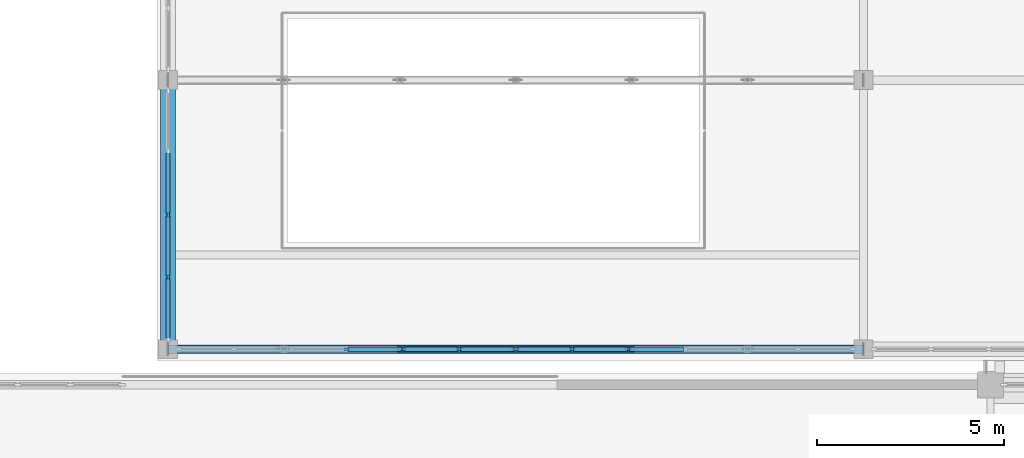
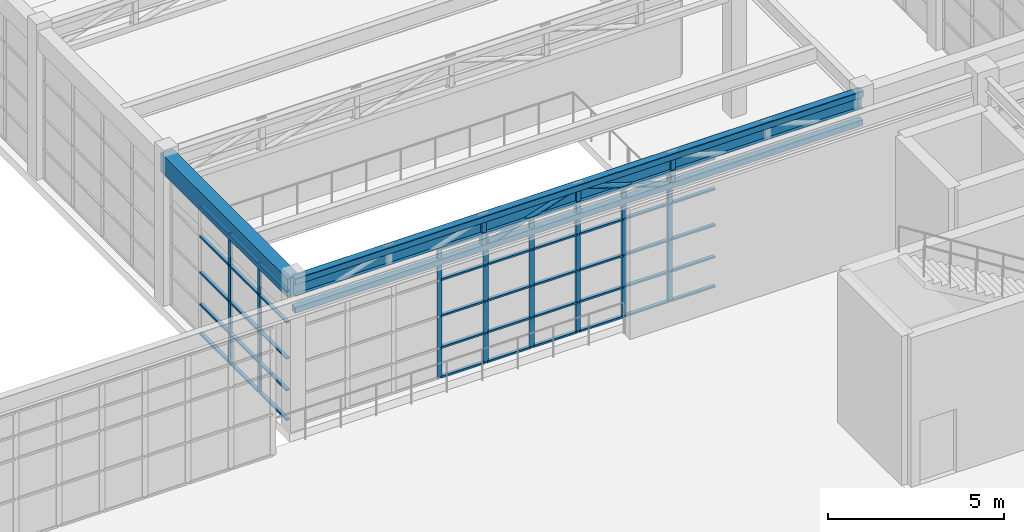
# One storey, part 46 of 103: 60 members, 2 beams, 2 elements without a shape of their own.
"""IFC4 building model written with IfcOpenShell, lengths in metres."""

import ifcopenshell
import ifcopenshell.guid

model = None  # the IFC model being written
_history = None  # IfcOwnerHistory: only IFC2X3 demands one
_inside = {}  # id of a spatial element -> (the spatial element, [elements in it])
_under = {}  # id of a project, library or spatial element -> (it, [spatial elements below it])
_declared = {}  # id of a project -> (the project, [libraries it declares])
_typed = {}  # id of a type object -> (the type object, [elements of that type])
_made_of = {}  # id of a material, layer set ... -> (it, [elements and type objects made of it])


def new_model(schema):
    """Start an empty IFC model of exactly this schema.

    Asked for "IFC4X3", IfcOpenShell would pick the latest addendum, in which some entities
    have other attributes; the version numbers below select the first issue.
    IFC2X3 requires an IfcOwnerHistory on every rooted entity: one is made here for all.
    """
    global model, _history
    if schema == "IFC4X3":
        model = ifcopenshell.file(schema_version=(4, 3, 0, 0))
    else:
        model = ifcopenshell.file(schema=schema)
    _inside.clear()
    _under.clear()
    _declared.clear()
    _typed.clear()
    _made_of.clear()
    _history = None
    if model.schema == "IFC2X3":
        org = make("IfcOrganization", Name="unknown")
        user = make(
            "IfcPersonAndOrganization",
            ThePerson=make("IfcPerson", FamilyName="unknown"),
            TheOrganization=org,
        )
        app = make(
            "IfcApplication",
            ApplicationDeveloper=org,
            Version="unknown",
            ApplicationFullName="unknown",
            ApplicationIdentifier="unknown",
        )
        _history = make(
            "IfcOwnerHistory",
            OwningUser=user,
            OwningApplication=app,
            ChangeAction="ADDED",
            CreationDate=0,
        )
    return model


def make(cls, **values):
    """One entity of the class cls with the attributes given. An attribute that is None is left unset."""
    return model.create_entity(
        cls, **{name: value for name, value in values.items() if value is not None}
    )


def rooted(cls, **values):
    """An entity with a GlobalId (a new one), such as an element, a storey or a relation."""
    return make(cls, GlobalId=ifcopenshell.guid.new(), OwnerHistory=_history, **values)


def si_unit(unit_type, name, prefix=None):
    """IfcSIUnit, for example si_unit("LENGTHUNIT", "METRE", prefix="MILLI")."""
    return make("IfcSIUnit", UnitType=unit_type, Prefix=prefix, Name=name)


def assignment(units):
    """IfcUnitAssignment: the units of a project."""
    return None if units is None else make("IfcUnitAssignment", Units=units)


def point(xyz):
    """IfcCartesianPoint."""
    return None if xyz is None else make("IfcCartesianPoint", Coordinates=xyz)


def direction(xyz):
    """IfcDirection."""
    return None if xyz is None else make("IfcDirection", DirectionRatios=xyz)


def frame(location, z_axis=None, x_axis=None):
    """IfcAxis2Placement3D, a coordinate frame: its origin and axes. An axis left out is left unset."""
    return make(
        "IfcAxis2Placement3D",
        Location=point(location),
        Axis=direction(z_axis),
        RefDirection=direction(x_axis),
    )


def frame_2d(location, x_axis=None):
    """IfcAxis2Placement2D, a coordinate frame in the plane: its origin and x axis."""
    return make(
        "IfcAxis2Placement2D", Location=point(location), RefDirection=direction(x_axis)
    )


def origin():
    """The frame at (0, 0, 0) with its axes left unset."""
    return frame((0.0, 0.0, 0.0))


def origin_2d():
    """The frame at (0, 0) in the plane with its x axis left unset."""
    return frame_2d((0.0, 0.0))


def place(relative_to, where):
    """IfcLocalPlacement: puts the frame where relative to a parent placement (None: the world)."""
    return make(
        "IfcLocalPlacement", PlacementRelTo=relative_to, RelativePlacement=where
    )


def context(
    kind, dimensions, precision=None, world=None, true_north=None, identifier=None
):
    """IfcGeometricRepresentationContext, for example the 3D "Model" context."""
    return make(
        "IfcGeometricRepresentationContext",
        ContextIdentifier=identifier,
        ContextType=kind,
        CoordinateSpaceDimension=dimensions,
        Precision=precision,
        WorldCoordinateSystem=world,
        TrueNorth=true_north,
    )


def subcontext(parent, identifier, kind, view, scale=None):
    """IfcGeometricRepresentationSubContext, for example "Body" below "Model"."""
    return make(
        "IfcGeometricRepresentationSubContext",
        ContextIdentifier=identifier,
        ContextType=kind,
        ParentContext=parent,
        TargetScale=scale,
        TargetView=view,
    )


def project(units=None, contexts=None):
    """IfcProject with its units and contexts."""
    return rooted(
        "IfcProject",
        Name="project",
        RepresentationContexts=contexts,
        UnitsInContext=assignment(units),
    )


def spatial(cls, under=None, at=None, **own):
    """A site, building, storey or space (cls), placed at a placement, below another one or the project."""
    s = rooted(cls, ObjectPlacement=at, **own)
    if under is not None:
        _under.setdefault(under.id(), (under, []))[1].append(s)
    return s


def profile(cls, at=None, kind="AREA", **sizes):
    """A parametric profile (cls). Its sizes go by their IFC names, for example OverallWidth=200.0."""
    return make(cls, ProfileType=kind, Position=at, **sizes)


def rectangle(**sizes):
    """IfcRectangleProfileDef."""
    return profile("IfcRectangleProfileDef", **sizes)


def hollow_rectangle(**sizes):
    """IfcRectangleHollowProfileDef."""
    return profile("IfcRectangleHollowProfileDef", **sizes)


def hollow_circle(**sizes):
    """IfcCircleHollowProfileDef."""
    return profile("IfcCircleHollowProfileDef", **sizes)


def i_section(**sizes):
    """IfcIShapeProfileDef."""
    return profile("IfcIShapeProfileDef", **sizes)


def extrude(swept, where, along, depth):
    """IfcExtrudedAreaSolid: the profile swept, set in the frame where, extruded along a direction by depth."""
    return make(
        "IfcExtrudedAreaSolid",
        SweptArea=swept,
        Position=where,
        ExtrudedDirection=direction(along),
        Depth=depth,
    )


def shape(context_of_items, identifier, shape_type, items):
    """IfcShapeRepresentation: the items that make up one representation, for example the "Body"."""
    return make(
        "IfcShapeRepresentation",
        ContextOfItems=context_of_items,
        RepresentationIdentifier=identifier,
        RepresentationType=shape_type,
        Items=items,
    )


def material(Name=None, Category=None):
    """IfcMaterial."""
    return make("IfcMaterial", Name=Name, Category=Category)


def layer(
    of_material, thickness, ventilated=None, Name=None, Category=None, Priority=None
):
    """IfcMaterialLayer: one layer of a wall or slab, of a material (None: an air gap)."""
    return make(
        "IfcMaterialLayer",
        Material=of_material,
        LayerThickness=thickness,
        IsVentilated=ventilated,
        Name=Name,
        Category=Category,
        Priority=Priority,
    )


def layer_set(layers, Name=None):
    """IfcMaterialLayerSet."""
    return make("IfcMaterialLayerSet", MaterialLayers=layers, LayerSetName=Name)


def material_profile(
    of_material, cross_section, Name=None, Category=None, Priority=None
):
    """IfcMaterialProfile: a cross section and its material."""
    return make(
        "IfcMaterialProfile",
        Name=Name,
        Material=of_material,
        Profile=cross_section,
        Priority=Priority,
        Category=Category,
    )


def profile_set(profiles, Name=None, composite=None):
    """IfcMaterialProfileSet."""
    return make(
        "IfcMaterialProfileSet",
        Name=Name,
        MaterialProfiles=profiles,
        CompositeProfile=composite,
    )


def made_of(thing, what):
    """Note that an element or type object is made of a material, layer set ...; save() writes the relation."""
    if what is not None:
        _made_of.setdefault(what.id(), (what, []))[1].append(thing)
    return thing


def type_object(cls, material=None, **own):
    """A type object (cls), such as IfcWallType, which elements share."""
    return made_of(rooted(cls, **own), material)


def element(
    cls,
    number,
    at=None,
    inside=None,
    cuts=None,
    type_object=None,
    material=None,
    context=None,
    identifier="Body",
    shape_type=None,
    held_by="IfcProductDefinitionShape",
    body=None,
    shapes=None,
    **own,
):
    """One element of the class cls, such as IfcWall. Its Tag is "e" and its number.

    at: its placement. inside: the storey or other place that contains it. cuts: it is an
    opening in that element (IfcRelVoidsElement). A single representation is given by context,
    identifier, shape_type and body (its items); several are given by shapes. held_by: the class
    of the entity that holds the representations. save() writes the other relations.
    """
    e = rooted(cls, Tag="e%d" % number, ObjectPlacement=at, **own)
    if body is not None:
        shapes = [shape(context, identifier, shape_type, body)]
    if shapes is not None:
        e.Representation = make(held_by, Representations=shapes)
    if inside is not None:
        _inside.setdefault(inside.id(), (inside, []))[1].append(e)
    if cuts is not None:
        rooted(
            "IfcRelVoidsElement", RelatingBuildingElement=cuts, RelatedOpeningElement=e
        )
    if type_object is not None:
        _typed.setdefault(type_object.id(), (type_object, []))[1].append(e)
    return made_of(e, material)


def aggregate(whole, parts):
    """IfcRelAggregates: a whole, such as a stair, and the parts it consists of."""
    return rooted("IfcRelAggregates", RelatingObject=whole, RelatedObjects=parts)


def save(model, path):
    """Write the relations noted so far, then the file.

    IfcRelAggregates (storeys below a building ...), IfcRelContainedInSpatialStructure (elements
    in a storey), IfcRelDefinesByType, IfcRelAssociatesMaterial and IfcRelDeclares: one each for
    every whole, place, type object, material and project.
    """
    for whole, parts in _under.values():
        aggregate(whole, parts)
    for where, things in _inside.values():
        rooted(
            "IfcRelContainedInSpatialStructure",
            RelatedElements=things,
            RelatingStructure=where,
        )
    for kind, things in _typed.values():
        rooted("IfcRelDefinesByType", RelatedObjects=things, RelatingType=kind)
    for what, things in _made_of.values():
        rooted("IfcRelAssociatesMaterial", RelatedObjects=things, RelatingMaterial=what)
    for by, libraries in _declared.values():
        rooted("IfcRelDeclares", RelatingContext=by, RelatedDefinitions=libraries)
    model.write(path)


model = new_model("IFC4")

# Units and contexts
model_context = context("Model", 3, precision=1e-05, world=origin(), true_north=direction((0.0, 1.0)))
body_context = subcontext(model_context, "Body", "Model", "MODEL_VIEW")
ifc_project = project(units=[si_unit("LENGTHUNIT", "METRE"), si_unit("AREAUNIT", "SQUARE_METRE"), si_unit("VOLUMEUNIT", "CUBIC_METRE"), si_unit("PLANEANGLEUNIT", "RADIAN"), si_unit("MASSUNIT", "GRAM", prefix="KILO")], contexts=[model_context])

# Site, building, storey
site_placement = place(None, origin())
site = spatial("IfcSite", under=ifc_project, at=site_placement, CompositionType="ELEMENT")
building_placement = place(site_placement, origin())
building = spatial("IfcBuilding", under=site, at=building_placement, Name="Candilejo Ridge Gondola Terminal", CompositionType="ELEMENT")
storey_placement = place(building_placement, frame((0.0, 0.0, 9.0)))
storey = spatial("IfcBuildingStorey", under=building, at=storey_placement, Name="L02", CompositionType="ELEMENT", Elevation=9.0)

# Curtain wall, members
ifc_material_1 = material(Name="Anodised aluminium AA 6063-T6", Category="aluminium")
ifc_layer_1 = layer(ifc_material_1, 0.169921875)
ifc_layer_set_1 = layer_set([ifc_layer_1], Name="ARC-CW-TOWER-3000-670X449")
curtain_wall_type_1 = type_object("IfcCurtainWallType", Name="ARC-CW-TOWER-3000-670X449", PredefinedType="NOTDEFINED", material=ifc_layer_set_1)
curtain_wall_1_placement = place(storey_placement, origin())
curtain_wall_1 = element("IfcCurtainWall", 1, at=curtain_wall_1_placement, inside=storey, type_object=curtain_wall_type_1, Name="Curtain wall V5 L02-174", PredefinedType="NOTDEFINED")
ifc_material_2 = material(Name="Anodised aluminium AA 6063-T6", Category="aluminium")
ifc_material_profile_1 = material_profile(ifc_material_2, rectangle(XDim=0.06494140625, YDim=0.14990234375, at=origin_2d()))
ifc_profile_set_1 = profile_set([ifc_material_profile_1], Name="Anodised aluminium AA 6063-T6")
member_type_1 = type_object("IfcMemberType", Name="ARC-CW-MULLION-150", PredefinedType="MULLION", material=ifc_profile_set_1)
member_1_placement = place(storey_placement, frame((150.0, 50.574951171875, 0.0), z_axis=(0.0, 0.0, 1.0), x_axis=(-1.0, 0.0, 0.0)))
member_1 = element("IfcMember", 2, at=member_1_placement, type_object=member_type_1, Name="CW-67X44 mullion 2", PredefinedType="MULLION", context=body_context, shape_type="SweptSolid", body=[
    extrude(rectangle(XDim=0.06494140625, YDim=0.14990234375, at=origin_2d()), origin(), (0.0, 0.0, 1.0), 4.489990234375),
])
member_2_placement = place(storey_placement, frame((150.0, 52.25, 0.0), z_axis=(0.0, 0.0, 1.0), x_axis=(-1.0, 0.0, 0.0)))
member_2 = element("IfcMember", 3, at=member_2_placement, type_object=member_type_1, Name="CW-67X44 mullion 3", PredefinedType="MULLION", context=body_context, shape_type="SweptSolid", body=[
    extrude(rectangle(XDim=0.06494140625, YDim=0.14990234375, at=origin_2d()), origin(), (0.0, 0.0, 1.0), 4.489990234375),
])

ifc_material_3 = material(Name="Anodised aluminium AA 6063-T6", Category="aluminium")
ifc_layer_2 = layer(ifc_material_3, 0.169921875)
ifc_layer_set_2 = layer_set([ifc_layer_2], Name="ARC-CW-TOWER-3000-1810X449")
curtain_wall_type_2 = type_object("IfcCurtainWallType", Name="ARC-CW-TOWER-3000-1810X449", PredefinedType="NOTDEFINED", material=ifc_layer_set_2)
curtain_wall_2_placement = place(storey_placement, origin())
curtain_wall_2 = element("IfcCurtainWall", 4, at=curtain_wall_2_placement, inside=storey, type_object=curtain_wall_type_2, Name="Curtain wall V5 L02-192", PredefinedType="NOTDEFINED")
member_3_placement = place(storey_placement, frame((154.77490234375, 48.64990234375, 0.0), z_axis=(0.0, 0.0, 1.0), x_axis=(0.0, 1.0, 0.0)))
member_3 = element("IfcMember", 5, at=member_3_placement, type_object=member_type_1, Name="CW-181X44 mullion 4", PredefinedType="MULLION", context=body_context, shape_type="SweptSolid", body=[
    extrude(rectangle(XDim=0.06494140625, YDim=0.14990234375, at=origin_2d()), origin(), (0.0, 0.0, 1.0), 4.489990234375),
])
member_4_placement = place(storey_placement, frame((156.283447265625, 48.64990234375, 0.0), z_axis=(0.0, 0.0, 1.0), x_axis=(0.0, 1.0, 0.0)))
member_4 = element("IfcMember", 6, at=member_4_placement, type_object=member_type_1, Name="CW-181X44 mullion 5", PredefinedType="MULLION", context=body_context, shape_type="SweptSolid", body=[
    extrude(rectangle(XDim=0.06494140625, YDim=0.14990234375, at=origin_2d()), origin(), (0.0, 0.0, 1.0), 4.489990234375),
])
member_5_placement = place(storey_placement, frame((157.791748046875, 48.64990234375, 0.0), z_axis=(0.0, 0.0, 1.0), x_axis=(0.0, 1.0, 0.0)))
member_5 = element("IfcMember", 7, at=member_5_placement, type_object=member_type_1, Name="CW-181X44 mullion 6", PredefinedType="MULLION", context=body_context, shape_type="SweptSolid", body=[
    extrude(rectangle(XDim=0.06494140625, YDim=0.14990234375, at=origin_2d()), origin(), (0.0, 0.0, 1.0), 4.489990234375),
])
member_6_placement = place(storey_placement, frame((159.300048828125, 48.64990234375, 0.0), z_axis=(0.0, 0.0, 1.0), x_axis=(0.0, 1.0, 0.0)))
member_6 = element("IfcMember", 8, at=member_6_placement, type_object=member_type_1, Name="CW-181X44 mullion 7", PredefinedType="MULLION", context=body_context, shape_type="SweptSolid", body=[
    extrude(rectangle(XDim=0.06494140625, YDim=0.14990234375, at=origin_2d()), origin(), (0.0, 0.0, 1.0), 4.489990234375),
])
member_7_placement = place(storey_placement, frame((160.808349609375, 48.64990234375, 0.0), z_axis=(0.0, 0.0, 1.0), x_axis=(0.0, 1.0, 0.0)))
member_7 = element("IfcMember", 9, at=member_7_placement, type_object=member_type_1, Name="CW-181X44 mullion 8", PredefinedType="MULLION", context=body_context, shape_type="SweptSolid", body=[
    extrude(rectangle(XDim=0.06494140625, YDim=0.14990234375, at=origin_2d()), origin(), (0.0, 0.0, 1.0), 4.489990234375),
])
member_8_placement = place(storey_placement, frame((162.316650390625, 48.64990234375, 0.0), z_axis=(0.0, 0.0, 1.0), x_axis=(0.0, 1.0, 0.0)))
member_8 = element("IfcMember", 10, at=member_8_placement, type_object=member_type_1, Name="CW-181X44 mullion 9", PredefinedType="MULLION", context=body_context, shape_type="SweptSolid", body=[
    extrude(rectangle(XDim=0.06494140625, YDim=0.14990234375, at=origin_2d()), origin(), (0.0, 0.0, 1.0), 4.489990234375),
])

# Member
ifc_material_4 = material(Name="Anodised aluminium AA 6063-T6", Category="aluminium")
ifc_material_profile_2 = material_profile(ifc_material_4, rectangle(XDim=0.110107421875, YDim=0.06005859375, at=origin_2d()))
ifc_profile_set_2 = profile_set([ifc_material_profile_2], Name="Anodised aluminium AA 6063-T6")
member_type_2 = type_object("IfcMemberType", Name="ARC-CW-TRANSOM-110", PredefinedType="USERDEFINED", material=ifc_profile_set_2)
member_9_placement = place(storey_placement, frame((150.0, 48.965087890625, 0.030029296875), z_axis=(0.0, 1.0, 0.0), x_axis=(-1.0, 0.0, 0.0)))
member_9 = element("IfcMember", 11, at=member_9_placement, type_object=member_type_2, Name="CW-67X44 transom 1.1", ObjectType="TRANSOM", PredefinedType="USERDEFINED", context=body_context, shape_type="SweptSolid", body=[
    extrude(rectangle(XDim=0.110107421875, YDim=0.06005859375, at=origin_2d()), origin(), (0.0, 0.0, 1.0), 1.577392578125),
])

member_10_placement = place(storey_placement, frame((150.0, 48.965087890625, 1.050048828125), z_axis=(0.0, 1.0, 0.0), x_axis=(-1.0, 0.0, 0.0)))
member_10 = element("IfcMember", 12, at=member_10_placement, type_object=member_type_2, Name="CW-67X44 transom 1.2", ObjectType="TRANSOM", PredefinedType="USERDEFINED", context=body_context, shape_type="SweptSolid", body=[
    extrude(rectangle(XDim=0.110107421875, YDim=0.06005859375, at=origin_2d()), origin(), (0.0, 0.0, 1.0), 1.577392578125),
])

member_11_placement = place(storey_placement, frame((150.0, 48.965087890625, 2.14990234375), z_axis=(0.0, 1.0, 0.0), x_axis=(-1.0, 0.0, 0.0)))
member_11 = element("IfcMember", 13, at=member_11_placement, type_object=member_type_2, Name="CW-67X44 transom 1.3", ObjectType="TRANSOM", PredefinedType="USERDEFINED", context=body_context, shape_type="SweptSolid", body=[
    extrude(rectangle(XDim=0.110107421875, YDim=0.06005859375, at=origin_2d()), origin(), (0.0, 0.0, 1.0), 1.577392578125),
])

member_12_placement = place(storey_placement, frame((150.0, 48.965087890625, 3.39990234375), z_axis=(0.0, 1.0, 0.0), x_axis=(-1.0, 0.0, 0.0)))
member_12 = element("IfcMember", 14, at=member_12_placement, type_object=member_type_2, Name="CW-67X44 transom 1.4", ObjectType="TRANSOM", PredefinedType="USERDEFINED", context=body_context, shape_type="SweptSolid", body=[
    extrude(rectangle(XDim=0.110107421875, YDim=0.06005859375, at=origin_2d()), origin(), (0.0, 0.0, 1.0), 1.577392578125),
])

member_13_placement = place(storey_placement, frame((150.0, 48.965087890625, 4.4599609375), z_axis=(0.0, 1.0, 0.0), x_axis=(-1.0, 0.0, 0.0)))
member_13 = element("IfcMember", 15, at=member_13_placement, type_object=member_type_2, Name="CW-67X44 transom 1.5", ObjectType="TRANSOM", PredefinedType="USERDEFINED", context=body_context, shape_type="SweptSolid", body=[
    extrude(rectangle(XDim=0.110107421875, YDim=0.06005859375, at=origin_2d()), origin(), (0.0, 0.0, 1.0), 1.577392578125),
])

member_14_placement = place(storey_placement, frame((150.0, 50.607421875, 0.030029296875), z_axis=(0.0, 1.0, 0.0), x_axis=(-1.0, 0.0, 0.0)))
member_14 = element("IfcMember", 16, at=member_14_placement, type_object=member_type_2, Name="CW-67X44 transom 2.1", ObjectType="TRANSOM", PredefinedType="USERDEFINED", context=body_context, shape_type="SweptSolid", body=[
    extrude(rectangle(XDim=0.110107421875, YDim=0.06005859375, at=origin_2d()), origin(), (0.0, 0.0, 1.0), 1.610107421875),
])

member_15_placement = place(storey_placement, frame((150.0, 50.607421875, 1.050048828125), z_axis=(0.0, 1.0, 0.0), x_axis=(-1.0, 0.0, 0.0)))
member_15 = element("IfcMember", 17, at=member_15_placement, type_object=member_type_2, Name="CW-67X44 transom 2.2", ObjectType="TRANSOM", PredefinedType="USERDEFINED", context=body_context, shape_type="SweptSolid", body=[
    extrude(rectangle(XDim=0.110107421875, YDim=0.06005859375, at=origin_2d()), origin(), (0.0, 0.0, 1.0), 1.610107421875),
])

member_16_placement = place(storey_placement, frame((150.0, 50.607421875, 2.14990234375), z_axis=(0.0, 1.0, 0.0), x_axis=(-1.0, 0.0, 0.0)))
member_16 = element("IfcMember", 18, at=member_16_placement, type_object=member_type_2, Name="CW-67X44 transom 2.3", ObjectType="TRANSOM", PredefinedType="USERDEFINED", context=body_context, shape_type="SweptSolid", body=[
    extrude(rectangle(XDim=0.110107421875, YDim=0.06005859375, at=origin_2d()), origin(), (0.0, 0.0, 1.0), 1.610107421875),
])

member_17_placement = place(storey_placement, frame((150.0, 50.607421875, 3.39990234375), z_axis=(0.0, 1.0, 0.0), x_axis=(-1.0, 0.0, 0.0)))
member_17 = element("IfcMember", 19, at=member_17_placement, type_object=member_type_2, Name="CW-67X44 transom 2.4", ObjectType="TRANSOM", PredefinedType="USERDEFINED", context=body_context, shape_type="SweptSolid", body=[
    extrude(rectangle(XDim=0.110107421875, YDim=0.06005859375, at=origin_2d()), origin(), (0.0, 0.0, 1.0), 1.610107421875),
])

member_18_placement = place(storey_placement, frame((150.0, 50.607421875, 4.4599609375), z_axis=(0.0, 1.0, 0.0), x_axis=(-1.0, 0.0, 0.0)))
member_18 = element("IfcMember", 20, at=member_18_placement, type_object=member_type_2, Name="CW-67X44 transom 2.5", ObjectType="TRANSOM", PredefinedType="USERDEFINED", context=body_context, shape_type="SweptSolid", body=[
    extrude(rectangle(XDim=0.110107421875, YDim=0.06005859375, at=origin_2d()), origin(), (0.0, 0.0, 1.0), 1.610107421875),
])

member_19_placement = place(storey_placement, frame((150.0, 52.282470703125, 0.030029296875), z_axis=(0.0, 1.0, 0.0), x_axis=(-1.0, 0.0, 0.0)))
member_19 = element("IfcMember", 21, at=member_19_placement, type_object=member_type_2, Name="CW-67X44 transom 3.1", ObjectType="TRANSOM", PredefinedType="USERDEFINED", context=body_context, shape_type="SweptSolid", body=[
    extrude(rectangle(XDim=0.110107421875, YDim=0.06005859375, at=origin_2d()), origin(), (0.0, 0.0, 1.0), 1.610107421875),
])

member_20_placement = place(storey_placement, frame((150.0, 52.282470703125, 1.050048828125), z_axis=(0.0, 1.0, 0.0), x_axis=(-1.0, 0.0, 0.0)))
member_20 = element("IfcMember", 22, at=member_20_placement, type_object=member_type_2, Name="CW-67X44 transom 3.2", ObjectType="TRANSOM", PredefinedType="USERDEFINED", context=body_context, shape_type="SweptSolid", body=[
    extrude(rectangle(XDim=0.110107421875, YDim=0.06005859375, at=origin_2d()), origin(), (0.0, 0.0, 1.0), 1.610107421875),
])

member_21_placement = place(storey_placement, frame((150.0, 52.282470703125, 2.14990234375), z_axis=(0.0, 1.0, 0.0), x_axis=(-1.0, 0.0, 0.0)))
member_21 = element("IfcMember", 23, at=member_21_placement, type_object=member_type_2, Name="CW-67X44 transom 3.3", ObjectType="TRANSOM", PredefinedType="USERDEFINED", context=body_context, shape_type="SweptSolid", body=[
    extrude(rectangle(XDim=0.110107421875, YDim=0.06005859375, at=origin_2d()), origin(), (0.0, 0.0, 1.0), 1.610107421875),
])

member_22_placement = place(storey_placement, frame((150.0, 52.282470703125, 3.39990234375), z_axis=(0.0, 1.0, 0.0), x_axis=(-1.0, 0.0, 0.0)))
member_22 = element("IfcMember", 24, at=member_22_placement, type_object=member_type_2, Name="CW-67X44 transom 3.4", ObjectType="TRANSOM", PredefinedType="USERDEFINED", context=body_context, shape_type="SweptSolid", body=[
    extrude(rectangle(XDim=0.110107421875, YDim=0.06005859375, at=origin_2d()), origin(), (0.0, 0.0, 1.0), 1.610107421875),
])

member_23_placement = place(storey_placement, frame((150.0, 52.282470703125, 4.4599609375), z_axis=(0.0, 1.0, 0.0), x_axis=(-1.0, 0.0, 0.0)))
member_23 = element("IfcMember", 25, at=member_23_placement, type_object=member_type_2, Name="CW-67X44 transom 3.5", ObjectType="TRANSOM", PredefinedType="USERDEFINED", context=body_context, shape_type="SweptSolid", body=[
    extrude(rectangle(XDim=0.110107421875, YDim=0.06005859375, at=origin_2d()), origin(), (0.0, 0.0, 1.0), 1.610107421875),
])

aggregate(curtain_wall_1, [member_1, member_2, member_9, member_10, member_11, member_12, member_13, member_14, member_15, member_16, member_17, member_18, member_19, member_20, member_21, member_22, member_23])

member_24_placement = place(storey_placement, frame((154.8076171875, 48.64990234375, 0.030029296875), z_axis=(1.0, 0.0, 0.0), x_axis=(0.0, 1.0, 0.0)))
member_24 = element("IfcMember", 26, at=member_24_placement, type_object=member_type_2, Name="CW-181X44 transom 4.1", ObjectType="TRANSOM", PredefinedType="USERDEFINED", context=body_context, shape_type="SweptSolid", body=[
    extrude(rectangle(XDim=0.110107421875, YDim=0.06005859375, at=origin_2d()), origin(), (0.0, 0.0, 1.0), 1.443115234375),
])

member_25_placement = place(storey_placement, frame((154.8076171875, 48.64990234375, 1.050048828125), z_axis=(1.0, 0.0, 0.0), x_axis=(0.0, 1.0, 0.0)))
member_25 = element("IfcMember", 27, at=member_25_placement, type_object=member_type_2, Name="CW-181X44 transom 4.2", ObjectType="TRANSOM", PredefinedType="USERDEFINED", context=body_context, shape_type="SweptSolid", body=[
    extrude(rectangle(XDim=0.110107421875, YDim=0.06005859375, at=origin_2d()), origin(), (0.0, 0.0, 1.0), 1.443115234375),
])

member_26_placement = place(storey_placement, frame((154.8076171875, 48.64990234375, 2.14990234375), z_axis=(1.0, 0.0, 0.0), x_axis=(0.0, 1.0, 0.0)))
member_26 = element("IfcMember", 28, at=member_26_placement, type_object=member_type_2, Name="CW-181X44 transom 4.3", ObjectType="TRANSOM", PredefinedType="USERDEFINED", context=body_context, shape_type="SweptSolid", body=[
    extrude(rectangle(XDim=0.110107421875, YDim=0.06005859375, at=origin_2d()), origin(), (0.0, 0.0, 1.0), 1.443115234375),
])

member_27_placement = place(storey_placement, frame((154.8076171875, 48.64990234375, 3.39990234375), z_axis=(1.0, 0.0, 0.0), x_axis=(0.0, 1.0, 0.0)))
member_27 = element("IfcMember", 29, at=member_27_placement, type_object=member_type_2, Name="CW-181X44 transom 4.4", ObjectType="TRANSOM", PredefinedType="USERDEFINED", context=body_context, shape_type="SweptSolid", body=[
    extrude(rectangle(XDim=0.110107421875, YDim=0.06005859375, at=origin_2d()), origin(), (0.0, 0.0, 1.0), 1.443115234375),
])

member_28_placement = place(storey_placement, frame((154.8076171875, 48.64990234375, 4.4599609375), z_axis=(1.0, 0.0, 0.0), x_axis=(0.0, 1.0, 0.0)))
member_28 = element("IfcMember", 30, at=member_28_placement, type_object=member_type_2, Name="CW-181X44 transom 4.5", ObjectType="TRANSOM", PredefinedType="USERDEFINED", context=body_context, shape_type="SweptSolid", body=[
    extrude(rectangle(XDim=0.110107421875, YDim=0.06005859375, at=origin_2d()), origin(), (0.0, 0.0, 1.0), 1.443115234375),
])

member_29_placement = place(storey_placement, frame((156.31591796875, 48.64990234375, 0.030029296875), z_axis=(1.0, 0.0, 0.0), x_axis=(0.0, 1.0, 0.0)))
member_29 = element("IfcMember", 31, at=member_29_placement, type_object=member_type_2, Name="CW-181X44 transom 5.1", ObjectType="TRANSOM", PredefinedType="USERDEFINED", context=body_context, shape_type="SweptSolid", body=[
    extrude(rectangle(XDim=0.110107421875, YDim=0.06005859375, at=origin_2d()), origin(), (0.0, 0.0, 1.0), 1.443359375),
])

member_30_placement = place(storey_placement, frame((156.31591796875, 48.64990234375, 1.050048828125), z_axis=(1.0, 0.0, 0.0), x_axis=(0.0, 1.0, 0.0)))
member_30 = element("IfcMember", 32, at=member_30_placement, type_object=member_type_2, Name="CW-181X44 transom 5.2", ObjectType="TRANSOM", PredefinedType="USERDEFINED", context=body_context, shape_type="SweptSolid", body=[
    extrude(rectangle(XDim=0.110107421875, YDim=0.06005859375, at=origin_2d()), origin(), (0.0, 0.0, 1.0), 1.443359375),
])

member_31_placement = place(storey_placement, frame((156.31591796875, 48.64990234375, 2.14990234375), z_axis=(1.0, 0.0, 0.0), x_axis=(0.0, 1.0, 0.0)))
member_31 = element("IfcMember", 33, at=member_31_placement, type_object=member_type_2, Name="CW-181X44 transom 5.3", ObjectType="TRANSOM", PredefinedType="USERDEFINED", context=body_context, shape_type="SweptSolid", body=[
    extrude(rectangle(XDim=0.110107421875, YDim=0.06005859375, at=origin_2d()), origin(), (0.0, 0.0, 1.0), 1.443359375),
])

member_32_placement = place(storey_placement, frame((156.31591796875, 48.64990234375, 3.39990234375), z_axis=(1.0, 0.0, 0.0), x_axis=(0.0, 1.0, 0.0)))
member_32 = element("IfcMember", 34, at=member_32_placement, type_object=member_type_2, Name="CW-181X44 transom 5.4", ObjectType="TRANSOM", PredefinedType="USERDEFINED", context=body_context, shape_type="SweptSolid", body=[
    extrude(rectangle(XDim=0.110107421875, YDim=0.06005859375, at=origin_2d()), origin(), (0.0, 0.0, 1.0), 1.443359375),
])

member_33_placement = place(storey_placement, frame((156.31591796875, 48.64990234375, 4.4599609375), z_axis=(1.0, 0.0, 0.0), x_axis=(0.0, 1.0, 0.0)))
member_33 = element("IfcMember", 35, at=member_33_placement, type_object=member_type_2, Name="CW-181X44 transom 5.5", ObjectType="TRANSOM", PredefinedType="USERDEFINED", context=body_context, shape_type="SweptSolid", body=[
    extrude(rectangle(XDim=0.110107421875, YDim=0.06005859375, at=origin_2d()), origin(), (0.0, 0.0, 1.0), 1.443359375),
])

member_34_placement = place(storey_placement, frame((157.82421875, 48.64990234375, 0.030029296875), z_axis=(1.0, 0.0, 0.0), x_axis=(0.0, 1.0, 0.0)))
member_34 = element("IfcMember", 36, at=member_34_placement, type_object=member_type_2, Name="CW-181X44 transom 6.1", ObjectType="TRANSOM", PredefinedType="USERDEFINED", context=body_context, shape_type="SweptSolid", body=[
    extrude(rectangle(XDim=0.110107421875, YDim=0.06005859375, at=origin_2d()), origin(), (0.0, 0.0, 1.0), 1.443359375),
])

member_35_placement = place(storey_placement, frame((157.82421875, 48.64990234375, 1.050048828125), z_axis=(1.0, 0.0, 0.0), x_axis=(0.0, 1.0, 0.0)))
member_35 = element("IfcMember", 37, at=member_35_placement, type_object=member_type_2, Name="CW-181X44 transom 6.2", ObjectType="TRANSOM", PredefinedType="USERDEFINED", context=body_context, shape_type="SweptSolid", body=[
    extrude(rectangle(XDim=0.110107421875, YDim=0.06005859375, at=origin_2d()), origin(), (0.0, 0.0, 1.0), 1.443359375),
])

member_36_placement = place(storey_placement, frame((157.82421875, 48.64990234375, 2.14990234375), z_axis=(1.0, 0.0, 0.0), x_axis=(0.0, 1.0, 0.0)))
member_36 = element("IfcMember", 38, at=member_36_placement, type_object=member_type_2, Name="CW-181X44 transom 6.3", ObjectType="TRANSOM", PredefinedType="USERDEFINED", context=body_context, shape_type="SweptSolid", body=[
    extrude(rectangle(XDim=0.110107421875, YDim=0.06005859375, at=origin_2d()), origin(), (0.0, 0.0, 1.0), 1.443359375),
])

member_37_placement = place(storey_placement, frame((157.82421875, 48.64990234375, 3.39990234375), z_axis=(1.0, 0.0, 0.0), x_axis=(0.0, 1.0, 0.0)))
member_37 = element("IfcMember", 39, at=member_37_placement, type_object=member_type_2, Name="CW-181X44 transom 6.4", ObjectType="TRANSOM", PredefinedType="USERDEFINED", context=body_context, shape_type="SweptSolid", body=[
    extrude(rectangle(XDim=0.110107421875, YDim=0.06005859375, at=origin_2d()), origin(), (0.0, 0.0, 1.0), 1.443359375),
])

member_38_placement = place(storey_placement, frame((157.82421875, 48.64990234375, 4.4599609375), z_axis=(1.0, 0.0, 0.0), x_axis=(0.0, 1.0, 0.0)))
member_38 = element("IfcMember", 40, at=member_38_placement, type_object=member_type_2, Name="CW-181X44 transom 6.5", ObjectType="TRANSOM", PredefinedType="USERDEFINED", context=body_context, shape_type="SweptSolid", body=[
    extrude(rectangle(XDim=0.110107421875, YDim=0.06005859375, at=origin_2d()), origin(), (0.0, 0.0, 1.0), 1.443359375),
])

member_39_placement = place(storey_placement, frame((159.33251953125, 48.64990234375, 0.030029296875), z_axis=(1.0, 0.0, 0.0), x_axis=(0.0, 1.0, 0.0)))
member_39 = element("IfcMember", 41, at=member_39_placement, type_object=member_type_2, Name="CW-181X44 transom 7.1", ObjectType="TRANSOM", PredefinedType="USERDEFINED", context=body_context, shape_type="SweptSolid", body=[
    extrude(rectangle(XDim=0.110107421875, YDim=0.06005859375, at=origin_2d()), origin(), (0.0, 0.0, 1.0), 1.443359375),
])

member_40_placement = place(storey_placement, frame((159.33251953125, 48.64990234375, 1.050048828125), z_axis=(1.0, 0.0, 0.0), x_axis=(0.0, 1.0, 0.0)))
member_40 = element("IfcMember", 42, at=member_40_placement, type_object=member_type_2, Name="CW-181X44 transom 7.2", ObjectType="TRANSOM", PredefinedType="USERDEFINED", context=body_context, shape_type="SweptSolid", body=[
    extrude(rectangle(XDim=0.110107421875, YDim=0.06005859375, at=origin_2d()), origin(), (0.0, 0.0, 1.0), 1.443359375),
])

member_41_placement = place(storey_placement, frame((159.33251953125, 48.64990234375, 2.14990234375), z_axis=(1.0, 0.0, 0.0), x_axis=(0.0, 1.0, 0.0)))
member_41 = element("IfcMember", 43, at=member_41_placement, type_object=member_type_2, Name="CW-181X44 transom 7.3", ObjectType="TRANSOM", PredefinedType="USERDEFINED", context=body_context, shape_type="SweptSolid", body=[
    extrude(rectangle(XDim=0.110107421875, YDim=0.06005859375, at=origin_2d()), origin(), (0.0, 0.0, 1.0), 1.443359375),
])

member_42_placement = place(storey_placement, frame((159.33251953125, 48.64990234375, 3.39990234375), z_axis=(1.0, 0.0, 0.0), x_axis=(0.0, 1.0, 0.0)))
member_42 = element("IfcMember", 44, at=member_42_placement, type_object=member_type_2, Name="CW-181X44 transom 7.4", ObjectType="TRANSOM", PredefinedType="USERDEFINED", context=body_context, shape_type="SweptSolid", body=[
    extrude(rectangle(XDim=0.110107421875, YDim=0.06005859375, at=origin_2d()), origin(), (0.0, 0.0, 1.0), 1.443359375),
])

member_43_placement = place(storey_placement, frame((159.33251953125, 48.64990234375, 4.4599609375), z_axis=(1.0, 0.0, 0.0), x_axis=(0.0, 1.0, 0.0)))
member_43 = element("IfcMember", 45, at=member_43_placement, type_object=member_type_2, Name="CW-181X44 transom 7.5", ObjectType="TRANSOM", PredefinedType="USERDEFINED", context=body_context, shape_type="SweptSolid", body=[
    extrude(rectangle(XDim=0.110107421875, YDim=0.06005859375, at=origin_2d()), origin(), (0.0, 0.0, 1.0), 1.443359375),
])

member_44_placement = place(storey_placement, frame((160.8408203125, 48.64990234375, 0.030029296875), z_axis=(1.0, 0.0, 0.0), x_axis=(0.0, 1.0, 0.0)))
member_44 = element("IfcMember", 46, at=member_44_placement, type_object=member_type_2, Name="CW-181X44 transom 8.1", ObjectType="TRANSOM", PredefinedType="USERDEFINED", context=body_context, shape_type="SweptSolid", body=[
    extrude(rectangle(XDim=0.110107421875, YDim=0.06005859375, at=origin_2d()), origin(), (0.0, 0.0, 1.0), 1.443359375),
])

member_45_placement = place(storey_placement, frame((160.8408203125, 48.64990234375, 1.050048828125), z_axis=(1.0, 0.0, 0.0), x_axis=(0.0, 1.0, 0.0)))
member_45 = element("IfcMember", 47, at=member_45_placement, type_object=member_type_2, Name="CW-181X44 transom 8.2", ObjectType="TRANSOM", PredefinedType="USERDEFINED", context=body_context, shape_type="SweptSolid", body=[
    extrude(rectangle(XDim=0.110107421875, YDim=0.06005859375, at=origin_2d()), origin(), (0.0, 0.0, 1.0), 1.443359375),
])

member_46_placement = place(storey_placement, frame((160.8408203125, 48.64990234375, 2.14990234375), z_axis=(1.0, 0.0, 0.0), x_axis=(0.0, 1.0, 0.0)))
member_46 = element("IfcMember", 48, at=member_46_placement, type_object=member_type_2, Name="CW-181X44 transom 8.3", ObjectType="TRANSOM", PredefinedType="USERDEFINED", context=body_context, shape_type="SweptSolid", body=[
    extrude(rectangle(XDim=0.110107421875, YDim=0.06005859375, at=origin_2d()), origin(), (0.0, 0.0, 1.0), 1.443359375),
])

member_47_placement = place(storey_placement, frame((160.8408203125, 48.64990234375, 3.39990234375), z_axis=(1.0, 0.0, 0.0), x_axis=(0.0, 1.0, 0.0)))
member_47 = element("IfcMember", 49, at=member_47_placement, type_object=member_type_2, Name="CW-181X44 transom 8.4", ObjectType="TRANSOM", PredefinedType="USERDEFINED", context=body_context, shape_type="SweptSolid", body=[
    extrude(rectangle(XDim=0.110107421875, YDim=0.06005859375, at=origin_2d()), origin(), (0.0, 0.0, 1.0), 1.443359375),
])

member_48_placement = place(storey_placement, frame((160.8408203125, 48.64990234375, 4.4599609375), z_axis=(1.0, 0.0, 0.0), x_axis=(0.0, 1.0, 0.0)))
member_48 = element("IfcMember", 50, at=member_48_placement, type_object=member_type_2, Name="CW-181X44 transom 8.5", ObjectType="TRANSOM", PredefinedType="USERDEFINED", context=body_context, shape_type="SweptSolid", body=[
    extrude(rectangle(XDim=0.110107421875, YDim=0.06005859375, at=origin_2d()), origin(), (0.0, 0.0, 1.0), 1.443359375),
])

member_49_placement = place(storey_placement, frame((162.34912109375, 48.64990234375, 0.030029296875), z_axis=(1.0, 0.0, 0.0), x_axis=(0.0, 1.0, 0.0)))
member_49 = element("IfcMember", 51, at=member_49_placement, type_object=member_type_2, Name="CW-181X44 transom 9.1", ObjectType="TRANSOM", PredefinedType="USERDEFINED", context=body_context, shape_type="SweptSolid", body=[
    extrude(rectangle(XDim=0.110107421875, YDim=0.06005859375, at=origin_2d()), origin(), (0.0, 0.0, 1.0), 1.443359375),
])

member_50_placement = place(storey_placement, frame((162.34912109375, 48.64990234375, 1.050048828125), z_axis=(1.0, 0.0, 0.0), x_axis=(0.0, 1.0, 0.0)))
member_50 = element("IfcMember", 52, at=member_50_placement, type_object=member_type_2, Name="CW-181X44 transom 9.2", ObjectType="TRANSOM", PredefinedType="USERDEFINED", context=body_context, shape_type="SweptSolid", body=[
    extrude(rectangle(XDim=0.110107421875, YDim=0.06005859375, at=origin_2d()), origin(), (0.0, 0.0, 1.0), 1.443359375),
])

member_51_placement = place(storey_placement, frame((162.34912109375, 48.64990234375, 2.14990234375), z_axis=(1.0, 0.0, 0.0), x_axis=(0.0, 1.0, 0.0)))
member_51 = element("IfcMember", 53, at=member_51_placement, type_object=member_type_2, Name="CW-181X44 transom 9.3", ObjectType="TRANSOM", PredefinedType="USERDEFINED", context=body_context, shape_type="SweptSolid", body=[
    extrude(rectangle(XDim=0.110107421875, YDim=0.06005859375, at=origin_2d()), origin(), (0.0, 0.0, 1.0), 1.443359375),
])

member_52_placement = place(storey_placement, frame((162.34912109375, 48.64990234375, 3.39990234375), z_axis=(1.0, 0.0, 0.0), x_axis=(0.0, 1.0, 0.0)))
member_52 = element("IfcMember", 54, at=member_52_placement, type_object=member_type_2, Name="CW-181X44 transom 9.4", ObjectType="TRANSOM", PredefinedType="USERDEFINED", context=body_context, shape_type="SweptSolid", body=[
    extrude(rectangle(XDim=0.110107421875, YDim=0.06005859375, at=origin_2d()), origin(), (0.0, 0.0, 1.0), 1.443359375),
])

member_53_placement = place(storey_placement, frame((162.34912109375, 48.64990234375, 4.4599609375), z_axis=(1.0, 0.0, 0.0), x_axis=(0.0, 1.0, 0.0)))
member_53 = element("IfcMember", 55, at=member_53_placement, type_object=member_type_2, Name="CW-181X44 transom 9.5", ObjectType="TRANSOM", PredefinedType="USERDEFINED", context=body_context, shape_type="SweptSolid", body=[
    extrude(rectangle(XDim=0.110107421875, YDim=0.06005859375, at=origin_2d()), origin(), (0.0, 0.0, 1.0), 1.443359375),
])

aggregate(curtain_wall_2, [member_3, member_4, member_5, member_6, member_7, member_8, member_24, member_25, member_26, member_27, member_28, member_29, member_30, member_31, member_32, member_33, member_34, member_35, member_36, member_37, member_38, member_39, member_40, member_41, member_42, member_43, member_44, member_45, member_46, member_47, member_48, member_49, member_50, member_51, member_52, member_53])

# Beam
ifc_material_5 = material(Name="Steel ASTM A992 Grade 50", Category="steel")
ifc_material_profile_3 = material_profile(ifc_material_5, i_section(OverallWidth=0.22900390625, OverallDepth=0.612060546875, WebThickness=0.011962890625, FlangeThickness=0.01953125, at=origin_2d()))
ifc_profile_set_3 = profile_set([ifc_material_profile_3], Name="Steel ASTM A992 Grade 50")
beam_type_1 = type_object("IfcBeamType", Name="STR-BM-W610X125", PredefinedType="BEAM", material=ifc_profile_set_3)
beam_1_placement = place(storey_placement, frame((150.0, 48.64990234375, 4.85400390625), z_axis=(1.0, 0.0, 0.0), x_axis=(0.0, 1.0, 0.0)))
element("IfcBeam", 56, at=beam_1_placement, inside=storey, type_object=beam_type_1, Name="Beam X V5 L02 X23-X25@Y10", PredefinedType="BEAM", context=body_context, shape_type="SweptSolid", body=[
    extrude(i_section(OverallWidth=0.22900390625, OverallDepth=0.612060546875, WebThickness=0.011962890625, FlangeThickness=0.01953125, at=origin_2d()), origin(), (0.0, 0.0, 1.0), 18.60009765625),
])

# Members
ifc_material_6 = material(Name="Steel ASTM A500 Grade C", Category="steel")
ifc_material_profile_4 = material_profile(ifc_material_6, hollow_circle(Radius=0.084228515625, WallThickness=0.007080078125, at=origin_2d()))
ifc_profile_set_4 = profile_set([ifc_material_profile_4], Name="Steel ASTM A500 Grade C")
member_type_3 = type_object("IfcMemberType", Name="STR-BRC-CHS168", PredefinedType="BRACE", material=ifc_profile_set_4)
member_54_placement = place(storey_placement, frame((156.199951171875, 48.64990234375, 4.050048828125), z_axis=(0.951711443346, 0.0, 0.306994020471), x_axis=(0.0, 1.0, 0.0)))
element("IfcMember", 57, at=member_54_placement, inside=storey, type_object=member_type_3, Name="Garage truss diagonal 01-03", PredefinedType="BRACE", context=body_context, shape_type="SweptSolid", body=[
    extrude(hollow_circle(Radius=0.084228515625, WallThickness=0.007080078125, at=origin_2d()), origin(), (0.0, 0.0, 1.0), 3.25732421875),
])
member_55_placement = place(storey_placement, frame((162.39990234375, 48.64990234375, 4.050048828125), z_axis=(-0.951704378929, 0.0, 0.307015919989), x_axis=(0.0, -1.0, 0.0)))
element("IfcMember", 58, at=member_55_placement, inside=storey, type_object=member_type_3, Name="Garage truss diagonal 01-04", PredefinedType="BRACE", context=body_context, shape_type="SweptSolid", body=[
    extrude(hollow_circle(Radius=0.084228515625, WallThickness=0.007080078125, at=origin_2d()), origin(), (0.0, 0.0, 1.0), 3.257080078125),
])
ifc_material_7 = material(Name="Steel ASTM A500 Grade C", Category="steel")
ifc_material_profile_5 = material_profile(ifc_material_7, hollow_rectangle(XDim=0.199951171875, YDim=0.199951171875, WallThickness=0.008056640625, at=origin_2d()))
ifc_profile_set_5 = profile_set([ifc_material_profile_5], Name="Steel ASTM A500 Grade C")
member_type_4 = type_object("IfcMemberType", Name="STR-CHD-HSS200", PredefinedType="CHORD", material=ifc_profile_set_5)
member_56_placement = place(storey_placement, frame((150.0, 48.64990234375, 4.050048828125), z_axis=(1.0, 0.0, 0.0), x_axis=(0.0, 1.0, 0.0)))
element("IfcMember", 59, at=member_56_placement, inside=storey, type_object=member_type_4, Name="Garage roof truss bottom chord 01", PredefinedType="CHORD", context=body_context, shape_type="SweptSolid", body=[
    extrude(hollow_rectangle(XDim=0.199951171875, YDim=0.199951171875, WallThickness=0.008056640625, at=origin_2d()), origin(), (0.0, 0.0, 1.0), 18.60009765625),
])
ifc_material_8 = material(Name="Steel ASTM A500 Grade C", Category="steel")
ifc_material_profile_6 = material_profile(ifc_material_8, hollow_rectangle(XDim=0.219970703125, YDim=0.219970703125, WallThickness=0.008056640625, at=origin_2d()))
ifc_profile_set_6 = profile_set([ifc_material_profile_6], Name="Steel ASTM A500 Grade C")
member_type_5 = type_object("IfcMemberType", Name="STR-CHD-HSS220", PredefinedType="CHORD", material=ifc_profile_set_6)
member_57_placement = place(storey_placement, frame((150.0, 48.64990234375, 5.050048828125), z_axis=(1.0, 0.0, 0.0), x_axis=(0.0, 1.0, 0.0)))
element("IfcMember", 60, at=member_57_placement, inside=storey, type_object=member_type_5, Name="Garage roof truss top chord 01", PredefinedType="CHORD", context=body_context, shape_type="SweptSolid", body=[
    extrude(hollow_rectangle(XDim=0.219970703125, YDim=0.219970703125, WallThickness=0.008056640625, at=origin_2d()), origin(), (0.0, 0.0, 1.0), 18.60009765625),
])
ifc_material_9 = material(Name="Steel ASTM A500 Grade C", Category="steel")
ifc_material_profile_7 = material_profile(ifc_material_9, hollow_rectangle(XDim=0.14990234375, YDim=0.14990234375, WallThickness=0.00634765625, at=origin_2d()))
ifc_profile_set_7 = profile_set([ifc_material_profile_7], Name="Steel ASTM A500 Grade C")
member_type_6 = type_object("IfcMemberType", Name="STR-PST-HSS150", PredefinedType="POST", material=ifc_profile_set_7)
for number, where, z_axis, x_axis, name in (
    (61, (156.199951171875, 48.64990234375, 4.050048828125), (0.0, 0.0, 1.0), (1.0, 0.0, 0.0), "Garage truss post 01-02"),
    (62, (159.300048828125, 48.64990234375, 4.050048828125), (0.0, 0.0, 1.0), (1.0, 0.0, 0.0), "Garage truss post 01-03"),
    (63, (162.39990234375, 48.64990234375, 4.050048828125), (0.0, 0.0, 1.0), (1.0, 0.0, 0.0), "Garage truss post 01-04"),
):
    element("IfcMember", number, at=place(storey_placement, frame(where, z_axis=z_axis, x_axis=x_axis)), inside=storey, type_object=member_type_6, Name=name, PredefinedType="POST", context=body_context, shape_type="SweptSolid", body=[
        extrude(hollow_rectangle(XDim=0.14990234375, YDim=0.14990234375, WallThickness=0.00634765625, at=origin_2d()), origin(), (0.0, 0.0, 1.0), 1.0),
    ])

# Beam
ifc_material_10 = material(Name="Concrete f'c 35 MPa (C35/45)", Category="concrete")
ifc_material_profile_8 = material_profile(ifc_material_10, rectangle(XDim=0.39990234375, YDim=0.64990234375, at=origin_2d()))
ifc_profile_set_8 = profile_set([ifc_material_profile_8], Name="Concrete f'c 35 MPa (C35/45)")
beam_type_2 = type_object("IfcBeamType", Name="STR-SPN-RC400X650", PredefinedType="SPANDREL", material=ifc_profile_set_8)
beam_2_placement = place(storey_placement, frame((150.0, 48.64990234375, 4.8349609375), z_axis=(0.0, 1.0, 0.0), x_axis=(-1.0, 0.0, 0.0)))
element("IfcBeam", 64, at=beam_2_placement, inside=storey, type_object=beam_type_2, Name="Beam Y V5 L02 Y10-Y11@X23", PredefinedType="SPANDREL", context=body_context, shape_type="SweptSolid", body=[
    extrude(rectangle(XDim=0.39990234375, YDim=0.64990234375, at=origin_2d()), origin(), (0.0, 0.0, 1.0), 7.2001953125),
])

save(model, "model.ifc")
